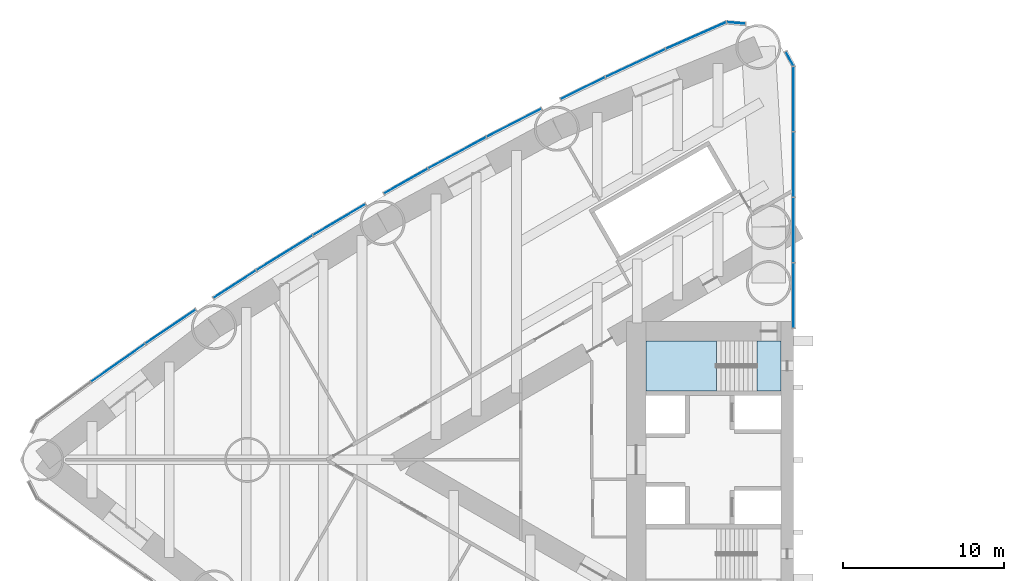
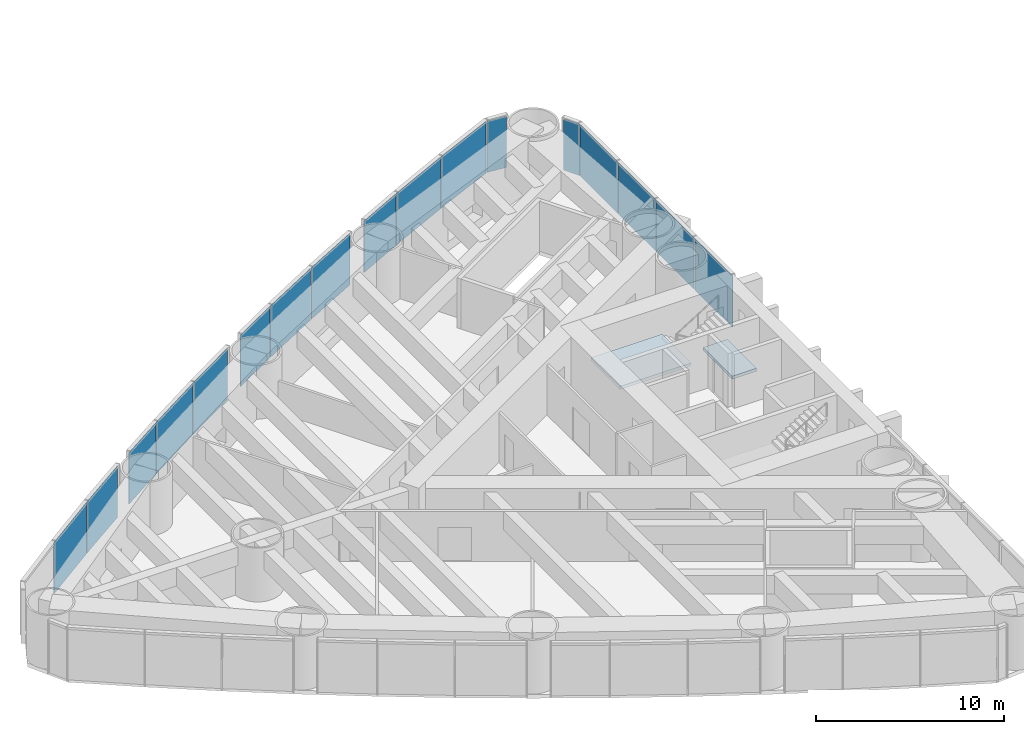
# One storey, part 13 of 20: 17 plates, 2 slabs, 6 elements without a shape of their own.
"""IFC4 building model written with IfcOpenShell, lengths in metres."""

from ifc_helpers import new_model, si_unit, direction, frame, origin, origin_2d, place, context, subcontext, project, spatial, polyline, rectangle, outline, extrude, material, layer, layer_set, type_object, element, aggregate, save


model = new_model("IFC4")

# Units and contexts
model_context = context("Model", 3, precision=1e-05, world=origin(), true_north=direction((0.0, 1.0)))
body_context = subcontext(model_context, "Body", "Model", "MODEL_VIEW")
ifc_project = project(units=[si_unit("LENGTHUNIT", "METRE"), si_unit("AREAUNIT", "SQUARE_METRE"), si_unit("VOLUMEUNIT", "CUBIC_METRE"), si_unit("PLANEANGLEUNIT", "RADIAN"), si_unit("MASSUNIT", "GRAM", prefix="KILO")], contexts=[model_context])

# Site, building, storey
site_placement = place(None, origin())
site = spatial("IfcSite", under=ifc_project, at=site_placement, CompositionType="ELEMENT")
building_placement = place(site_placement, origin())
building = spatial("IfcBuilding", under=site, at=building_placement, Name="Lancet Gate Hotel", CompositionType="ELEMENT")
storey_placement = place(building_placement, frame((0.0, 0.0, 77.5)))
storey = spatial("IfcBuildingStorey", under=building, at=storey_placement, Name="L20", CompositionType="ELEMENT", Elevation=77.5)

# Stair, slabs
ifc_material_1 = material(Name="Exit stair 20 risers 1500")
stair_type = type_object("IfcStairType", Name="Exit stair 20 risers 1500", PredefinedType="HALF_TURN_STAIR", material=ifc_material_1)
stair_placement = place(storey_placement, origin())
stair = element("IfcStair", 1, at=stair_placement, inside=storey, type_object=stair_type, Name="T1 stair 1 L20", PredefinedType="HALF_TURN_STAIR")
ifc_material_2 = material(Name="Concrete C40/50", Category="concrete")
ifc_layer_1 = layer(ifc_material_2, 0.199951171875)
ifc_layer_set_1 = layer_set([ifc_layer_1], Name="Stair landing 200")
slab_type = type_object("IfcSlabType", Name="Stair landing 200", PredefinedType="LANDING", material=ifc_layer_set_1)
slab_1_placement = place(storey_placement, frame((0.0, 0.0, -0.199951171875)))
slab_1 = element("IfcSlab", 2, at=slab_1_placement, type_object=slab_type, Name="ST1 landing 1", PredefinedType="LANDING", context=body_context, shape_type="SweptSolid", body=[
    extrude(outline(polyline([(-28.300048828125, 7.39990234375), (-29.800048828125, 7.39990234375), (-29.800048828125, 4.300048828125), (-28.300048828125, 4.300048828125), (-28.300048828125, 7.39990234375)])), origin(), (0.0, 0.0, 1.0), 0.199951171875),
])
slab_2_placement = place(storey_placement, frame((0.0, 0.0, 1.550048828125)))
slab_2 = element("IfcSlab", 3, at=slab_2_placement, type_object=slab_type, Name="ST1 landing 2", PredefinedType="LANDING", context=body_context, shape_type="SweptSolid", body=[
    extrude(outline(polyline([(-32.320068359375, 7.39990234375), (-36.699951171875, 7.39990234375), (-36.699951171875, 4.300048828125), (-32.320068359375, 4.300048828125), (-32.320068359375, 7.39990234375)])), origin(), (0.0, 0.0, 1.0), 0.199951171875),
])
aggregate(stair, [slab_1, slab_2])

# Curtain wall, plates
ifc_material_3 = material(Name="Aluminium curtain wall", Category="aluminium")
curtain_wall_type = type_object("IfcCurtainWallType", Name="Tower unitised curtain wall", PredefinedType="USERDEFINED", material=ifc_material_3)
curtain_wall_1_placement = place(storey_placement, origin())
curtain_wall_1 = element("IfcCurtainWall", 4, at=curtain_wall_1_placement, inside=storey, type_object=curtain_wall_type, Name="T1 L20 curtain wall 1", ObjectType="UNITISED CURTAIN WALL", PredefinedType="USERDEFINED")
ifc_material_4 = material(Name="Glass double glazed unit 8-16-6", Category="glass")
ifc_layer_2 = layer(ifc_material_4, 0.030029296875)
ifc_layer_set_2 = layer_set([ifc_layer_2], Name="Vision panel double glazed")
plate_type = type_object("IfcPlateType", Name="Vision panel double glazed", PredefinedType="CURTAIN_PANEL", material=ifc_layer_set_2)
plate_1_placement = place(storey_placement, frame((-27.5, 10.236328125, 0.0), z_axis=(0.0, 0.0, 1.0), x_axis=(0.0, 1.0, 0.0)))
plate_1 = element("IfcPlate", 5, at=plate_1_placement, type_object=plate_type, Name="T1 L20 curtain wall 1 panel 1", PredefinedType="CURTAIN_PANEL", context=body_context, shape_type="SweptSolid", body=[
    extrude(rectangle(XDim=4.0078125, YDim=0.030029296875, at=origin_2d()), origin(), (0.0, 0.0, 1.0), 3.35009765625),
])
plate_2_placement = place(storey_placement, frame((-27.5, 14.30908203125, 0.0), z_axis=(0.0, 0.0, 1.0), x_axis=(0.0, 1.0, 0.0)))
plate_2 = element("IfcPlate", 6, at=plate_2_placement, type_object=plate_type, Name="T1 L20 curtain wall 1 panel 2", PredefinedType="CURTAIN_PANEL", context=body_context, shape_type="SweptSolid", body=[
    extrude(rectangle(XDim=4.0078125, YDim=0.030029296875, at=origin_2d()), origin(), (0.0, 0.0, 1.0), 3.35009765625),
])
plate_3_placement = place(storey_placement, frame((-27.5, 18.382080078125, 0.0), z_axis=(0.0, 0.0, 1.0), x_axis=(0.0, 1.0, 0.0)))
plate_3 = element("IfcPlate", 7, at=plate_3_placement, type_object=plate_type, Name="T1 L20 curtain wall 1 panel 3", PredefinedType="CURTAIN_PANEL", context=body_context, shape_type="SweptSolid", body=[
    extrude(rectangle(XDim=4.0078125, YDim=0.030029296875, at=origin_2d()), origin(), (0.0, 0.0, 1.0), 3.35009765625),
])
plate_4_placement = place(storey_placement, frame((-27.5, 22.454833984375, 0.0), z_axis=(0.0, 0.0, 1.0), x_axis=(0.0, 1.0, 0.0)))
plate_4 = element("IfcPlate", 8, at=plate_4_placement, type_object=plate_type, Name="T1 L20 curtain wall 1 panel 4", PredefinedType="CURTAIN_PANEL", context=body_context, shape_type="SweptSolid", body=[
    extrude(rectangle(XDim=4.0078125, YDim=0.030029296875, at=origin_2d()), origin(), (0.0, 0.0, 1.0), 3.35009765625),
])
plate_5_placement = place(storey_placement, frame((-27.749755859375, 24.9541015625, 0.0), z_axis=(0.0, 0.0, 1.0), x_axis=(-0.474631040972, 0.880184852714, 0.0)))
plate_5 = element("IfcPlate", 9, at=plate_5_placement, type_object=plate_type, Name="T1 L20 curtain wall 1 panel 5", PredefinedType="CURTAIN_PANEL", context=body_context, shape_type="SweptSolid", body=[
    extrude(rectangle(XDim=0.987060546875, YDim=0.030029296875, at=origin_2d()), origin(), (0.0, 0.0, 1.0), 3.35009765625),
])
aggregate(curtain_wall_1, [plate_1, plate_2, plate_3, plate_4, plate_5])

curtain_wall_2_placement = place(storey_placement, origin())
curtain_wall_2 = element("IfcCurtainWall", 10, at=curtain_wall_2_placement, inside=storey, type_object=curtain_wall_type, Name="T1 L20 curtain wall 2", ObjectType="UNITISED CURTAIN WALL", PredefinedType="USERDEFINED")
plate_6_placement = place(storey_placement, frame((-31.087158203125, 27.193115234375, 0.0), z_axis=(0.0, 0.0, 1.0), x_axis=(-0.99620380374, 0.087051602022, 0.0)))
plate_6 = element("IfcPlate", 11, at=plate_6_placement, type_object=plate_type, Name="T1 L20 curtain wall 2 panel 1", PredefinedType="CURTAIN_PANEL", context=body_context, shape_type="SweptSolid", body=[
    extrude(rectangle(XDim=1.142822265625, YDim=0.030029296875, at=origin_2d()), origin(), (0.0, 0.0, 1.0), 3.35009765625),
])
plate_7_placement = place(storey_placement, frame((-33.581298828125, 26.406982421875, 0.0), z_axis=(0.0, 0.0, 1.0), x_axis=(-0.914234183208, -0.405186201954, 0.0)))
plate_7 = element("IfcPlate", 12, at=plate_7_placement, type_object=plate_type, Name="T1 L20 curtain wall 2 panel 2", PredefinedType="CURTAIN_PANEL", context=body_context, shape_type="SweptSolid", body=[
    extrude(rectangle(XDim=4.0751953125, YDim=0.030029296875, at=origin_2d()), origin(), (0.0, 0.0, 1.0), 3.35009765625),
])
plate_8_placement = place(storey_placement, frame((-37.349609375, 24.6923828125, 0.0), z_axis=(0.0, 0.0, 1.0), x_axis=(-0.906117767284, -0.423025521467, 0.0)))
plate_8 = element("IfcPlate", 13, at=plate_8_placement, type_object=plate_type, Name="T1 L20 curtain wall 2 panel 3", PredefinedType="CURTAIN_PANEL", context=body_context, shape_type="SweptSolid", body=[
    extrude(rectangle(XDim=4.0751953125, YDim=0.030029296875, at=origin_2d()), origin(), (0.0, 0.0, 1.0), 3.35009765625),
])
plate_9_placement = place(storey_placement, frame((-40.62158203125, 23.131103515625, 0.0), z_axis=(0.0, 0.0, 1.0), x_axis=(-0.897653295642, -0.440702349463, 0.0)))
plate_9 = element("IfcPlate", 14, at=plate_9_placement, type_object=plate_type, Name="T1 L20 curtain wall 2 panel 4", PredefinedType="CURTAIN_PANEL", context=body_context, shape_type="SweptSolid", body=[
    extrude(rectangle(XDim=3.0458984375, YDim=0.030029296875, at=origin_2d()), origin(), (0.0, 0.0, 1.0), 3.35009765625),
])
aggregate(curtain_wall_2, [plate_6, plate_7, plate_8, plate_9])

curtain_wall_3_placement = place(storey_placement, origin())
curtain_wall_3 = element("IfcCurtainWall", 15, at=curtain_wall_3_placement, inside=storey, type_object=curtain_wall_type, Name="T1 L20 curtain wall 3", ObjectType="UNITISED CURTAIN WALL", PredefinedType="USERDEFINED")
plate_10_placement = place(storey_placement, frame((-44.905029296875, 20.97998046875, 0.0), z_axis=(0.0, 0.0, 1.0), x_axis=(-0.888844019644, -0.458209895946, 0.0)))
plate_10 = element("IfcPlate", 16, at=plate_10_placement, type_object=plate_type, Name="T1 L20 curtain wall 3 panel 1", PredefinedType="CURTAIN_PANEL", context=body_context, shape_type="SweptSolid", body=[
    extrude(rectangle(XDim=3.798095703125, YDim=0.030029296875, at=origin_2d()), origin(), (0.0, 0.0, 1.0), 3.35009765625),
])
plate_11_placement = place(storey_placement, frame((-48.443115234375, 19.110595703125, 0.0), z_axis=(0.0, 0.0, 1.0), x_axis=(-0.87969332307, -0.475541435993, 0.0)))
plate_11 = element("IfcPlate", 17, at=plate_11_placement, type_object=plate_type, Name="T1 L20 curtain wall 3 panel 2", PredefinedType="CURTAIN_PANEL", context=body_context, shape_type="SweptSolid", body=[
    extrude(rectangle(XDim=4.0751953125, YDim=0.030029296875, at=origin_2d()), origin(), (0.0, 0.0, 1.0), 3.35009765625),
])
plate_12_placement = place(storey_placement, frame((-51.640380859375, 17.346923828125, 0.0), z_axis=(0.0, 0.0, 1.0), x_axis=(-0.870204720871, -0.492690312238, 0.0)))
plate_12 = element("IfcPlate", 18, at=plate_12_placement, type_object=plate_type, Name="T1 L20 curtain wall 3 panel 3", PredefinedType="CURTAIN_PANEL", context=body_context, shape_type="SweptSolid", body=[
    extrude(rectangle(XDim=3.09814453125, YDim=0.030029296875, at=origin_2d()), origin(), (0.0, 0.0, 1.0), 3.35009765625),
])
aggregate(curtain_wall_3, [plate_10, plate_11, plate_12])

curtain_wall_4_placement = place(storey_placement, origin())
curtain_wall_4 = element("IfcCurtainWall", 19, at=curtain_wall_4_placement, inside=storey, type_object=curtain_wall_type, Name="T1 L20 curtain wall 4", ObjectType="UNITISED CURTAIN WALL", PredefinedType="USERDEFINED")
plate_13_placement = place(storey_placement, frame((-55.7841796875, 14.95068359375, 0.0), z_axis=(0.0, 0.0, 1.0), x_axis=(-0.860381857795, -0.509649937484, 0.0)))
plate_13 = element("IfcPlate", 20, at=plate_13_placement, type_object=plate_type, Name="T1 L20 curtain wall 4 panel 1", PredefinedType="CURTAIN_PANEL", context=body_context, shape_type="SweptSolid", body=[
    extrude(rectangle(XDim=3.75927734375, YDim=0.030029296875, at=origin_2d()), origin(), (0.0, 0.0, 1.0), 3.35009765625),
])
plate_14_placement = place(storey_placement, frame((-59.189208984375, 12.88623046875, 0.0), z_axis=(0.0, 0.0, 1.0), x_axis=(-0.850228506958, -0.52641379727, 0.0)))
plate_14 = element("IfcPlate", 21, at=plate_14_placement, type_object=plate_type, Name="T1 L20 curtain wall 4 panel 2", PredefinedType="CURTAIN_PANEL", context=body_context, shape_type="SweptSolid", body=[
    extrude(rectangle(XDim=4.0751953125, YDim=0.030029296875, at=origin_2d()), origin(), (0.0, 0.0, 1.0), 3.35009765625),
])
plate_15_placement = place(storey_placement, frame((-62.2880859375, 10.93115234375, 0.0), z_axis=(0.0, 0.0, 1.0), x_axis=(-0.839748568448, -0.54297545229, 0.0)))
plate_15 = element("IfcPlate", 22, at=plate_15_placement, type_object=plate_type, Name="T1 L20 curtain wall 4 panel 3", PredefinedType="CURTAIN_PANEL", context=body_context, shape_type="SweptSolid", body=[
    extrude(rectangle(XDim=3.123046875, YDim=0.030029296875, at=origin_2d()), origin(), (0.0, 0.0, 1.0), 3.35009765625),
])
aggregate(curtain_wall_4, [plate_13, plate_14, plate_15])

curtain_wall_5_placement = place(storey_placement, origin())
curtain_wall_5 = element("IfcCurtainWall", 23, at=curtain_wall_5_placement, inside=storey, type_object=curtain_wall_type, Name="T1 L20 curtain wall 5", ObjectType="UNITISED CURTAIN WALL", PredefinedType="USERDEFINED")
plate_16_placement = place(storey_placement, frame((-66.281005859375, 8.296875, 0.0), z_axis=(0.0, 0.0, 1.0), x_axis=(-0.828946067803, -0.559328540907, 0.0)))
plate_16 = element("IfcPlate", 24, at=plate_16_placement, type_object=plate_type, Name="T1 L20 curtain wall 5 panel 1", PredefinedType="CURTAIN_PANEL", context=body_context, shape_type="SweptSolid", body=[
    extrude(rectangle(XDim=3.740234375, YDim=0.030029296875, at=origin_2d()), origin(), (0.0, 0.0, 1.0), 3.35009765625),
])
plate_17_placement = place(storey_placement, frame((-69.55126953125, 6.04150390625, 0.0), z_axis=(0.0, 0.0, 1.0), x_axis=(-0.817825154435, -0.575466781642, 0.0)))
plate_17 = element("IfcPlate", 25, at=plate_17_placement, type_object=plate_type, Name="T1 L20 curtain wall 5 panel 2", PredefinedType="CURTAIN_PANEL", context=body_context, shape_type="SweptSolid", body=[
    extrude(rectangle(XDim=4.0751953125, YDim=0.030029296875, at=origin_2d()), origin(), (0.0, 0.0, 1.0), 3.35009765625),
])
aggregate(curtain_wall_5, [plate_16, plate_17])

save(model, "model.ifc")
